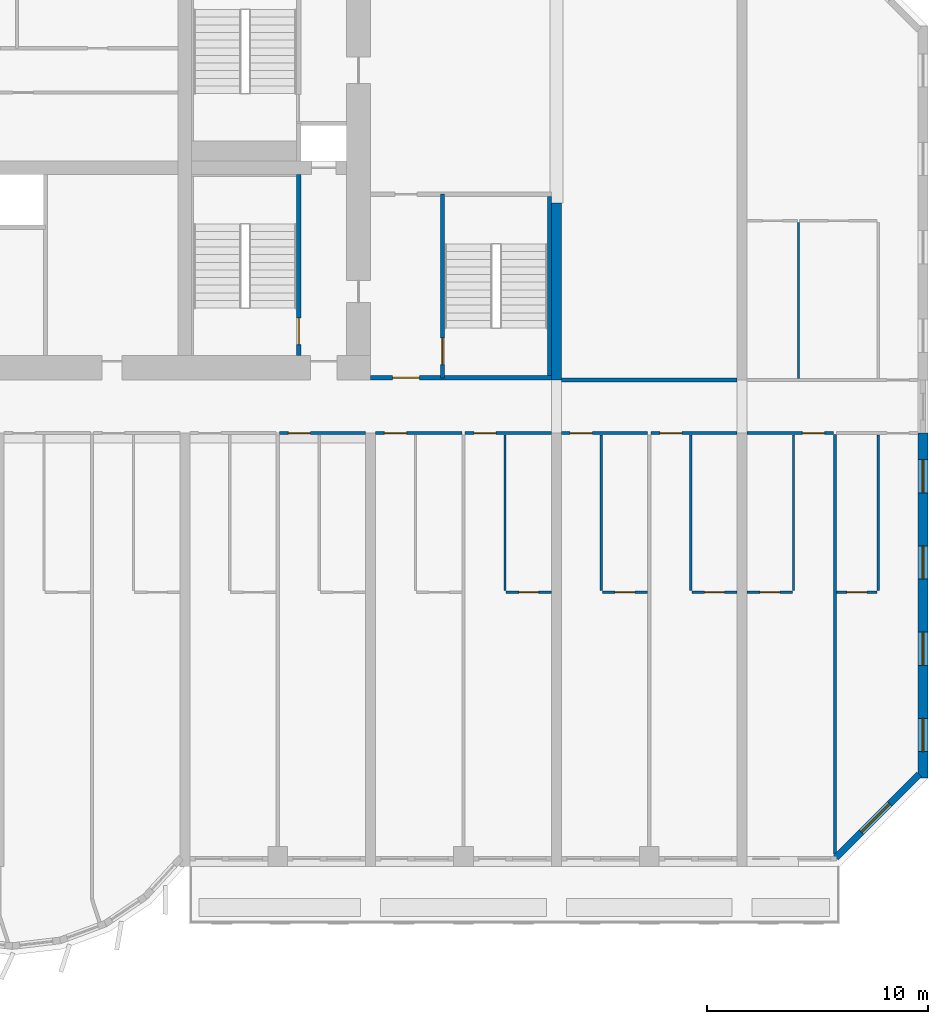
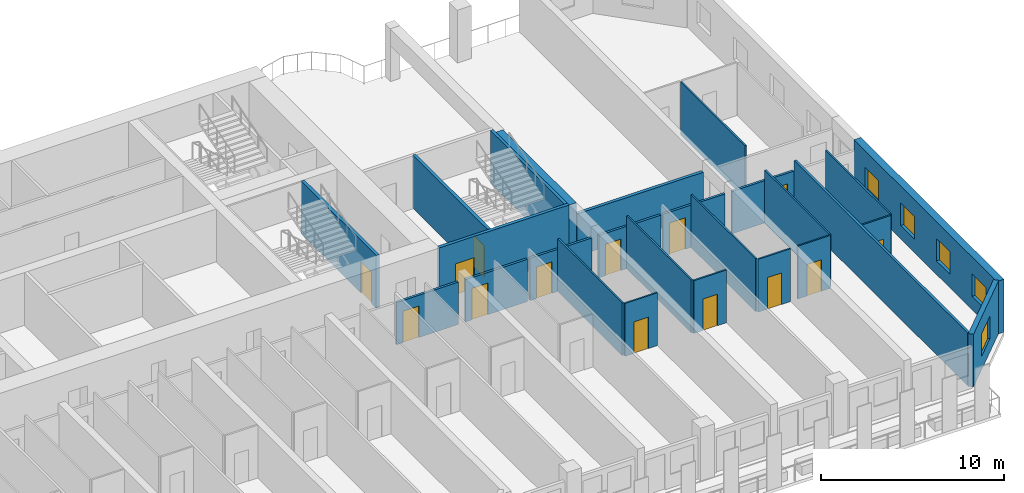
# One storey, part 9 of 14: 26 walls, 14 doors, 5 windows, 19 openings.
"""IFC4 building model written with IfcOpenShell, lengths in metres."""

from ifc_helpers import new_model, si_unit, direction, frame, frame_2d, origin, place, context, subcontext, project, spatial, rectangle, extrude, source, transform, mapped, material, layer, layer_set, type_object, element, fill, save


model = new_model("IFC4")

# Units and contexts
model_context = context("Model", 3, precision=1e-05, world=origin(), true_north=direction((0.0, 1.0)))
body_context = subcontext(model_context, "Body", "Model", "MODEL_VIEW")
ifc_project = project(units=[si_unit("LENGTHUNIT", "METRE"), si_unit("AREAUNIT", "SQUARE_METRE"), si_unit("VOLUMEUNIT", "CUBIC_METRE"), si_unit("PLANEANGLEUNIT", "RADIAN"), si_unit("MASSUNIT", "GRAM", prefix="KILO")], contexts=[model_context])

# Site, building, storey
site_placement = place(None, origin())
site = spatial("IfcSite", under=ifc_project, at=site_placement, CompositionType="ELEMENT")
building_placement = place(site_placement, origin())
building = spatial("IfcBuilding", under=site, at=building_placement, Name="Vanashikhar Sky Hotel", CompositionType="ELEMENT")
storey_placement = place(building_placement, frame((0.0, 0.0, 27.800048828125)))
storey = spatial("IfcBuildingStorey", under=building, at=storey_placement, Name="L05", CompositionType="ELEMENT", Elevation=27.800048828125)

# Wall, openings, windows
ifc_material_1 = material(Name="Concrete M80", Category="concrete")
ifc_layer_1 = layer(ifc_material_1, 0.449951171875)
ifc_layer_set_1 = layer_set([ifc_layer_1], Name="RC shear wall 450 Concrete M80")
wall_type_1 = type_object("IfcWallType", Name="RC shear wall 450 Concrete M80", PredefinedType="SHEAR", material=ifc_layer_set_1)
shared_shape_1 = source(origin(), body_context, "Body", "SweptSolid", [
    extrude(rectangle(XDim=15.60009765625, YDim=0.449951171875, at=frame_2d((7.800048828125, 0.0))), origin(), (0.0, 0.0, 1.0), 3.52001953125),
])
wall_1_placement = place(storey_placement, frame((100.574951171875, 4.0, 0.0), z_axis=(0.0, 0.0, 1.0), x_axis=(0.0, 1.0, 0.0)))
wall_1 = element("IfcWall", 1, at=wall_1_placement, inside=storey, type_object=wall_type_1, Name="CW-L05-XW13-1", PredefinedType="SHEAR", context=body_context, shape_type="MappedRepresentation", body=[
    mapped(shared_shape_1, transform((0.0, 0.0, 0.0), scale=1.0)),
])
shared_shape_2 = source(origin(), body_context, "Body", "SweptSolid", [
    extrude(rectangle(XDim=1.5, YDim=1.5, at=frame_2d((0.75, 0.75))), frame((0.0, 0.23486328125, 0.0), z_axis=(0.0, -1.0, 0.0), x_axis=(1.0, 0.0, 0.0)), (0.0, 0.0, 1.0), 0.469970703125),
])
opening_1_placement = place(wall_1_placement, frame((1.199951171875, 0.0, 0.89990234375)))
opening_1 = element("IfcOpeningElement", 2, at=opening_1_placement, cuts=wall_1, Name="Opening WN-1", PredefinedType="OPENING", context=body_context, shape_type="MappedRepresentation", body=[
    mapped(shared_shape_2, transform((0.0, 0.0, 0.0), scale=1.0)),
])
opening_2_placement = place(wall_1_placement, frame((5.10009765625, 0.0, 0.89990234375)))
opening_2 = element("IfcOpeningElement", 3, at=opening_2_placement, cuts=wall_1, Name="Opening WN-1", PredefinedType="OPENING", context=body_context, shape_type="MappedRepresentation", body=[
    mapped(shared_shape_2, transform((0.0, 0.0, 0.0), scale=1.0)),
])
opening_3_placement = place(wall_1_placement, frame((9.0, 0.0, 0.89990234375)))
opening_3 = element("IfcOpeningElement", 4, at=opening_3_placement, cuts=wall_1, Name="Opening WN-1", PredefinedType="OPENING", context=body_context, shape_type="MappedRepresentation", body=[
    mapped(shared_shape_2, transform((0.0, 0.0, 0.0), scale=1.0)),
])
opening_4_placement = place(wall_1_placement, frame((12.89990234375, 0.0, 0.89990234375)))
opening_4 = element("IfcOpeningElement", 5, at=opening_4_placement, cuts=wall_1, Name="Opening WN-1", PredefinedType="OPENING", context=body_context, shape_type="MappedRepresentation", body=[
    mapped(shared_shape_2, transform((0.0, 0.0, 0.0), scale=1.0)),
])
ifc_material_2 = material(Name="Glass", Category="glass")
window_type_1 = type_object("IfcWindowType", Name="Window 1500 x 1500", PartitioningType="SINGLE_PANEL", PredefinedType="WINDOW", material=ifc_material_2)
shared_shape_3 = source(origin(), body_context, "Body", "SweptSolid", [
    extrude(rectangle(XDim=1.5, YDim=1.5, at=frame_2d((0.75, 0.75))), frame((0.0, 0.030029296875, 0.0), z_axis=(0.0, -1.0, 0.0), x_axis=(1.0, 0.0, 0.0)), (0.0, 0.0, 1.0), 0.06005859375),
])
window_1_placement = place(opening_1_placement, origin())
window_1 = element("IfcWindow", 6, at=window_1_placement, inside=storey, type_object=window_type_1, Name="Window WN-1", OverallHeight=1.5, OverallWidth=1.5, PartitioningType="SINGLE_PANEL", PredefinedType="WINDOW", context=body_context, shape_type="MappedRepresentation", body=[
    mapped(shared_shape_3, transform((0.0, 0.0, 0.0), scale=1.0)),
])
fill(opening_1, window_1)
window_2_placement = place(opening_2_placement, origin())
window_2 = element("IfcWindow", 7, at=window_2_placement, inside=storey, type_object=window_type_1, Name="Window WN-1", OverallHeight=1.5, OverallWidth=1.5, PartitioningType="SINGLE_PANEL", PredefinedType="WINDOW", context=body_context, shape_type="MappedRepresentation", body=[
    mapped(shared_shape_3, transform((0.0, 0.0, 0.0), scale=1.0)),
])
fill(opening_2, window_2)
window_3_placement = place(opening_3_placement, origin())
window_3 = element("IfcWindow", 8, at=window_3_placement, inside=storey, type_object=window_type_1, Name="Window WN-1", OverallHeight=1.5, OverallWidth=1.5, PartitioningType="SINGLE_PANEL", PredefinedType="WINDOW", context=body_context, shape_type="MappedRepresentation", body=[
    mapped(shared_shape_3, transform((0.0, 0.0, 0.0), scale=1.0)),
])
fill(opening_3, window_3)
window_4_placement = place(opening_4_placement, origin())
window_4 = element("IfcWindow", 9, at=window_4_placement, inside=storey, type_object=window_type_1, Name="Window WN-1", OverallHeight=1.5, OverallWidth=1.5, PartitioningType="SINGLE_PANEL", PredefinedType="WINDOW", context=body_context, shape_type="MappedRepresentation", body=[
    mapped(shared_shape_3, transform((0.0, 0.0, 0.0), scale=1.0)),
])
fill(opening_4, window_4)

# Wall
shared_shape_4 = source(origin(), body_context, "Body", "SweptSolid", [
    extrude(rectangle(XDim=8.0, YDim=0.449951171875, at=frame_2d((4.0, 0.0))), origin(), (0.0, 0.0, 1.0), 3.52001953125),
])
wall_2_placement = place(storey_placement, frame((84.0, 22.0, 0.0), z_axis=(0.0, 0.0, 1.0), x_axis=(0.0, 1.0, 0.0)))
element("IfcWall", 10, at=wall_2_placement, inside=storey, type_object=wall_type_1, Name="CW-L05-XW11-2", PredefinedType="SHEAR", context=body_context, shape_type="MappedRepresentation", body=[
    mapped(shared_shape_4, transform((0.0, 0.0, 0.0), scale=1.0)),
])

# Wall, opening, window
ifc_material_3 = material(Name="Concrete M50", Category="concrete")
ifc_layer_2 = layer(ifc_material_3, 0.300048828125)
ifc_layer_set_2 = layer_set([ifc_layer_2], Name="Lobe wall 300")
wall_type_2 = type_object("IfcWallType", Name="Lobe wall 300", PredefinedType="SOLIDWALL", material=ifc_layer_set_2)
shared_shape_5 = source(origin(), body_context, "Body", "SweptSolid", [
    extrude(rectangle(XDim=5.32568359375, YDim=0.300048828125, at=frame_2d((2.662841796875, 0.0))), origin(), (0.0, 0.0, 1.0), 3.52001953125),
])
wall_3_placement = place(storey_placement, frame((96.63427734375, 0.39990234375, 0.0), z_axis=(0.0, 0.0, 1.0), x_axis=(0.707083859269, 0.707129702361, 0.0)))
wall_3 = element("IfcWall", 11, at=wall_3_placement, inside=storey, type_object=wall_type_2, Name="Corner wall", PredefinedType="SOLIDWALL", context=body_context, shape_type="MappedRepresentation", body=[
    mapped(shared_shape_5, transform((0.0, 0.0, 0.0), scale=1.0)),
])
shared_shape_6 = source(origin(), body_context, "Body", "SweptSolid", [
    extrude(rectangle(XDim=1.800048828125, YDim=1.5, at=frame_2d((0.89990234375, 0.75))), frame((0.0, 0.16015625, 0.0), z_axis=(0.0, -1.0, 0.0), x_axis=(1.0, 0.0, 0.0)), (0.0, 0.0, 1.0), 0.320068359375),
])
opening_5_placement = place(wall_3_placement, frame((1.636474609375, 0.0, 0.89990234375)))
opening_5 = element("IfcOpeningElement", 12, at=opening_5_placement, cuts=wall_3, Name="Opening WN-4", PredefinedType="OPENING", context=body_context, shape_type="MappedRepresentation", body=[
    mapped(shared_shape_6, transform((0.0, 0.0, 0.0), scale=1.0)),
])
window_type_2 = type_object("IfcWindowType", Name="Corner window 1800 x 1500", PartitioningType="SINGLE_PANEL", PredefinedType="WINDOW", material=ifc_material_2)
shared_shape_7 = source(origin(), body_context, "Body", "SweptSolid", [
    extrude(rectangle(XDim=1.800048828125, YDim=1.5, at=frame_2d((0.89990234375, 0.75))), frame((0.0, 0.030029296875, 0.0), z_axis=(0.0, -1.0, 0.0), x_axis=(1.0, 0.0, 0.0)), (0.0, 0.0, 1.0), 0.06005859375),
])
window_5_placement = place(opening_5_placement, origin())
window_5 = element("IfcWindow", 13, at=window_5_placement, inside=storey, type_object=window_type_2, Name="Window WN-4", OverallHeight=1.5, OverallWidth=1.800048828125, PartitioningType="SINGLE_PANEL", PredefinedType="WINDOW", context=body_context, shape_type="MappedRepresentation", body=[
    mapped(shared_shape_7, transform((0.0, 0.0, 0.0), scale=1.0)),
])
fill(opening_5, window_5)

# Wall, opening, door
ifc_layer_3 = layer(ifc_material_3, 0.199951171875)
ifc_layer_set_3 = layer_set([ifc_layer_3], Name="Stair wall 200")
wall_type_3 = type_object("IfcWallType", Name="Stair wall 200", PredefinedType="SOLIDWALL", material=ifc_layer_set_3)
shared_shape_8 = source(origin(), body_context, "Body", "SweptSolid", [
    extrude(rectangle(XDim=8.199951171875, YDim=0.199951171875, at=frame_2d((4.10009765625, 0.0))), origin(), (0.0, 0.0, 1.0), 3.52001953125),
])
wall_4_placement = place(storey_placement, frame((72.35009765625, 23.10009765625, 0.0), z_axis=(0.0, 0.0, 1.0), x_axis=(0.0, 1.0, 0.0)))
wall_4 = element("IfcWall", 14, at=wall_4_placement, inside=storey, type_object=wall_type_3, Name="Stair wall 200", PredefinedType="SOLIDWALL", context=body_context, shape_type="MappedRepresentation", body=[
    mapped(shared_shape_8, transform((0.0, 0.0, 0.0), scale=1.0)),
])
shared_shape_9 = source(origin(), body_context, "Body", "SweptSolid", [
    extrude(rectangle(XDim=1.199951171875, YDim=2.10009765625, at=frame_2d((0.60009765625, 1.050048828125))), frame((0.0, 0.10986328125, 0.0), z_axis=(0.0, -1.0, 0.0), x_axis=(1.0, 0.0, 0.0)), (0.0, 0.0, 1.0), 0.219970703125),
])
opening_6_placement = place(wall_4_placement, frame((0.5, 0.0, 0.0)))
opening_6 = element("IfcOpeningElement", 15, at=opening_6_placement, cuts=wall_4, Name="Opening DC-1", PredefinedType="OPENING", context=body_context, shape_type="MappedRepresentation", body=[
    mapped(shared_shape_9, transform((0.0, 0.0, 0.0), scale=1.0)),
])
ifc_material_4 = material(Name="Steel", Category="steel")
door_type_1 = type_object("IfcDoorType", Name="Stair door 1200 FD120", OperationType="NOTDEFINED", PredefinedType="DOOR", material=ifc_material_4)
shared_shape_10 = source(origin(), body_context, "Body", "SweptSolid", [
    extrude(rectangle(XDim=1.199951171875, YDim=2.10009765625, at=frame_2d((0.60009765625, 1.050048828125))), frame((0.0, 0.02490234375, 0.0), z_axis=(0.0, -1.0, 0.0), x_axis=(1.0, 0.0, 0.0)), (0.0, 0.0, 1.0), 0.050048828125),
])
door_1_placement = place(opening_6_placement, origin())
door_1 = element("IfcDoor", 16, at=door_1_placement, inside=storey, type_object=door_type_1, Name="Stair door 1200 FD120", OperationType="SINGLE_SWING_RIGHT", OverallHeight=2.10009765625, OverallWidth=1.199951171875, PredefinedType="DOOR", context=body_context, shape_type="MappedRepresentation", body=[
    mapped(shared_shape_10, transform((0.0, 0.0, 0.0), scale=1.0)),
])
fill(opening_6, door_1)

shared_shape_11 = source(origin(), body_context, "Body", "SweptSolid", [
    extrude(rectangle(XDim=8.2998046875, YDim=0.199951171875, at=frame_2d((4.14990234375, 0.0))), origin(), (0.0, 0.0, 1.0), 3.52001953125),
])
wall_5_placement = place(storey_placement, frame((78.85009765625, 22.10009765625, 0.0), z_axis=(0.0, 0.0, 1.0), x_axis=(0.0, 1.0, 0.0)))
wall_5 = element("IfcWall", 17, at=wall_5_placement, inside=storey, type_object=wall_type_3, Name="Stair wall 200", PredefinedType="SOLIDWALL", context=body_context, shape_type="MappedRepresentation", body=[
    mapped(shared_shape_11, transform((0.0, 0.0, 0.0), scale=1.0)),
])
opening_7_placement = place(wall_5_placement, frame((0.60009765625, 0.0, 0.0)))
opening_7 = element("IfcOpeningElement", 18, at=opening_7_placement, cuts=wall_5, Name="Opening DC-1", PredefinedType="OPENING", context=body_context, shape_type="MappedRepresentation", body=[
    mapped(shared_shape_9, transform((0.0, 0.0, 0.0), scale=1.0)),
])
door_2_placement = place(opening_7_placement, origin())
door_2 = element("IfcDoor", 19, at=door_2_placement, inside=storey, type_object=door_type_1, Name="Stair door 1200 FD120", OperationType="SINGLE_SWING_RIGHT", OverallHeight=2.10009765625, OverallWidth=1.199951171875, PredefinedType="DOOR", context=body_context, shape_type="MappedRepresentation", body=[
    mapped(shared_shape_10, transform((0.0, 0.0, 0.0), scale=1.0)),
])
fill(opening_7, door_2)

shared_shape_12 = source(origin(), body_context, "Body", "SweptSolid", [
    extrude(rectangle(XDim=8.1748046875, YDim=0.199951171875, at=frame_2d((4.08740234375, 0.0))), origin(), (0.0, 0.0, 1.0), 3.52001953125),
])
wall_6_placement = place(storey_placement, frame((83.77490234375, 22.10009765625, 0.0), z_axis=(0.0, 0.0, 1.0), x_axis=(-1.0, 0.0, 0.0)))
wall_6 = element("IfcWall", 20, at=wall_6_placement, inside=storey, type_object=wall_type_3, Name="Stair wall 200", PredefinedType="SOLIDWALL", context=body_context, shape_type="MappedRepresentation", body=[
    mapped(shared_shape_12, transform((0.0, 0.0, 0.0), scale=1.0)),
])
opening_8_placement = place(wall_6_placement, frame((5.97509765625, 0.0, 0.0)))
opening_8 = element("IfcOpeningElement", 21, at=opening_8_placement, cuts=wall_6, Name="Opening DC-2", PredefinedType="OPENING", context=body_context, shape_type="MappedRepresentation", body=[
    mapped(shared_shape_9, transform((0.0, 0.0, 0.0), scale=1.0)),
])
door_type_2 = type_object("IfcDoorType", Name="Firefighting lobby door 1200 FD120", OperationType="NOTDEFINED", PredefinedType="DOOR", material=ifc_material_4)
door_3_placement = place(opening_8_placement, origin())
door_3 = element("IfcDoor", 22, at=door_3_placement, inside=storey, type_object=door_type_2, Name="Firefighting lobby door 1200 FD120", OperationType="SINGLE_SWING_LEFT", OverallHeight=2.10009765625, OverallWidth=1.199951171875, PredefinedType="DOOR", context=body_context, shape_type="MappedRepresentation", body=[
    mapped(shared_shape_10, transform((0.0, 0.0, 0.0), scale=1.0)),
])
fill(opening_8, door_3)

# Walls
ifc_layer_4 = layer(ifc_material_3, 0.175048828125)
ifc_layer_set_4 = layer_set([ifc_layer_4], Name="Stair infill wall 175")
wall_type_4 = type_object("IfcWallType", Name="Stair infill wall 175", PredefinedType="SOLIDWALL", material=ifc_layer_set_4)
shared_shape_13 = source(origin(), body_context, "Body", "SweptSolid", [
    extrude(rectangle(XDim=8.10009765625, YDim=0.175048828125, at=frame_2d((4.050048828125, 0.0))), origin(), (0.0, 0.0, 1.0), 3.52001953125),
])
wall_7_placement = place(storey_placement, frame((83.68798828125, 22.199951171875, 0.0), z_axis=(0.0, 0.0, 1.0), x_axis=(0.0, 1.0, 0.0)))
element("IfcWall", 23, at=wall_7_placement, inside=storey, type_object=wall_type_4, Name="Stair infill wall 175", PredefinedType="SOLIDWALL", context=body_context, shape_type="MappedRepresentation", body=[
    mapped(shared_shape_13, transform((0.0, 0.0, 0.0), scale=1.0)),
])
ifc_material_5 = material(Name="Gypsum plasterboard partition")
ifc_layer_5 = layer(ifc_material_5, 0.10009765625)
ifc_layer_set_5 = layer_set([ifc_layer_5], Name="Wet room partition 100")
wall_type_5 = type_object("IfcWallType", Name="Wet room partition 100", PredefinedType="PARTITIONING", material=ifc_layer_set_5)
shared_shape_14 = source(origin(), body_context, "Body", "SweptSolid", [
    extrude(rectangle(XDim=7.0498046875, YDim=0.10009765625, at=frame_2d((3.52490234375, 0.0))), origin(), (0.0, 0.0, 1.0), 3.52001953125),
])
for number, where, z_axis, x_axis, name in (
    (24, (81.675048828125, 12.47509765625, 0.0), (0.0, 0.0, 1.0), (0.0, 1.0, 0.0), "W-L05-PW067"),
    (25, (86.02490234375, 12.47509765625, 0.0), (0.0, 0.0, 1.0), (0.0, 1.0, 0.0), "W-L05-PW071"),
    (26, (90.074951171875, 12.47509765625, 0.0), (0.0, 0.0, 1.0), (0.0, 1.0, 0.0), "W-L05-PW074"),
    (27, (94.72509765625, 12.47509765625, 0.0), (0.0, 0.0, 1.0), (0.0, 1.0, 0.0), "W-L05-PW078"),
    (28, (98.550048828125, 12.47509765625, 0.0), (0.0, 0.0, 1.0), (0.0, 1.0, 0.0), "W-L05-PW081"),
):
    element("IfcWall", number, at=place(storey_placement, frame(where, z_axis=z_axis, x_axis=x_axis)), inside=storey, type_object=wall_type_5, Name=name, PredefinedType="PARTITIONING", context=body_context, shape_type="MappedRepresentation", body=[
        mapped(shared_shape_14, transform((0.0, 0.0, 0.0), scale=1.0)),
    ])

# Wall, opening, door
shared_shape_15 = source(origin(), body_context, "Body", "SweptSolid", [
    extrude(rectangle(XDim=1.824951171875, YDim=0.10009765625, at=frame_2d((0.91259765625, 0.0))), origin(), (0.0, 0.0, 1.0), 3.52001953125),
])
wall_8_placement = place(storey_placement, frame((96.675048828125, 12.39990234375, 0.0), z_axis=(0.0, 0.0, 1.0), x_axis=(1.0, 0.0, 0.0)))
wall_8 = element("IfcWall", 29, at=wall_8_placement, inside=storey, type_object=wall_type_5, Name="W-L05-PW082", PredefinedType="PARTITIONING", context=body_context, shape_type="MappedRepresentation", body=[
    mapped(shared_shape_15, transform((0.0, 0.0, 0.0), scale=1.0)),
])
shared_shape_16 = source(origin(), body_context, "Body", "SweptSolid", [
    extrude(rectangle(XDim=0.89990234375, YDim=2.10009765625, at=frame_2d((0.449951171875, 1.050048828125))), frame((0.0, 0.06005859375, 0.0), z_axis=(0.0, -1.0, 0.0), x_axis=(1.0, 0.0, 0.0)), (0.0, 0.0, 1.0), 0.1201171875),
])
opening_9_placement = place(wall_8_placement, frame((0.462890625, 0.0, 0.0)))
opening_9 = element("IfcOpeningElement", 30, at=opening_9_placement, cuts=wall_8, Name="Opening D-02", PredefinedType="OPENING", context=body_context, shape_type="MappedRepresentation", body=[
    mapped(shared_shape_16, transform((0.0, 0.0, 0.0), scale=1.0)),
])
ifc_material_6 = material(Name="Timber door", Category="wood")
door_type_3 = type_object("IfcDoorType", Name="Internal door 900", OperationType="NOTDEFINED", PredefinedType="DOOR", material=ifc_material_6)
shared_shape_17 = source(origin(), body_context, "Body", "SweptSolid", [
    extrude(rectangle(XDim=0.89990234375, YDim=2.10009765625, at=frame_2d((0.449951171875, 1.050048828125))), frame((0.0, 0.02490234375, 0.0), z_axis=(0.0, -1.0, 0.0), x_axis=(1.0, 0.0, 0.0)), (0.0, 0.0, 1.0), 0.050048828125),
])
door_4_placement = place(opening_9_placement, origin())
door_4 = element("IfcDoor", 31, at=door_4_placement, inside=storey, type_object=door_type_3, Name="D-L05-047", OperationType="SINGLE_SWING_RIGHT", OverallHeight=2.10009765625, OverallWidth=0.89990234375, PredefinedType="DOOR", context=body_context, shape_type="MappedRepresentation", body=[
    mapped(shared_shape_17, transform((0.0, 0.0, 0.0), scale=1.0)),
])
fill(opening_9, door_4)

shared_shape_18 = source(origin(), body_context, "Body", "SweptSolid", [
    extrude(rectangle(XDim=2.050048828125, YDim=0.10009765625, at=frame_2d((1.02490234375, 0.0))), origin(), (0.0, 0.0, 1.0), 3.52001953125),
])
wall_9_placement = place(storey_placement, frame((86.074951171875, 12.39990234375, 0.0), z_axis=(0.0, 0.0, 1.0), x_axis=(1.0, 0.0, 0.0)))
wall_9 = element("IfcWall", 32, at=wall_9_placement, inside=storey, type_object=wall_type_5, Name="W-L05-PW072", PredefinedType="PARTITIONING", context=body_context, shape_type="MappedRepresentation", body=[
    mapped(shared_shape_18, transform((0.0, 0.0, 0.0), scale=1.0)),
])
opening_10_placement = place(wall_9_placement, frame((0.574951171875, 0.0, 0.0)))
opening_10 = element("IfcOpeningElement", 33, at=opening_10_placement, cuts=wall_9, Name="Opening D-02", PredefinedType="OPENING", context=body_context, shape_type="MappedRepresentation", body=[
    mapped(shared_shape_16, transform((0.0, 0.0, 0.0), scale=1.0)),
])
door_5_placement = place(opening_10_placement, origin())
door_5 = element("IfcDoor", 34, at=door_5_placement, inside=storey, type_object=door_type_3, Name="D-L05-041", OperationType="SINGLE_SWING_LEFT", OverallHeight=2.10009765625, OverallWidth=0.89990234375, PredefinedType="DOOR", context=body_context, shape_type="MappedRepresentation", body=[
    mapped(shared_shape_17, transform((0.0, 0.0, 0.0), scale=1.0)),
])
fill(opening_10, door_5)

wall_10_placement = place(storey_placement, frame((90.125, 12.39990234375, 0.0), z_axis=(0.0, 0.0, 1.0), x_axis=(1.0, 0.0, 0.0)))
wall_10 = element("IfcWall", 35, at=wall_10_placement, inside=storey, type_object=wall_type_5, Name="W-L05-PW075", PredefinedType="PARTITIONING", context=body_context, shape_type="MappedRepresentation", body=[
    mapped(shared_shape_18, transform((0.0, 0.0, 0.0), scale=1.0)),
])
opening_11_placement = place(wall_10_placement, frame((0.574951171875, 0.0, 0.0)))
opening_11 = element("IfcOpeningElement", 36, at=opening_11_placement, cuts=wall_10, Name="Opening D-02", PredefinedType="OPENING", context=body_context, shape_type="MappedRepresentation", body=[
    mapped(shared_shape_16, transform((0.0, 0.0, 0.0), scale=1.0)),
])
door_6_placement = place(opening_11_placement, origin())
door_6 = element("IfcDoor", 37, at=door_6_placement, inside=storey, type_object=door_type_3, Name="D-L05-043", OperationType="SINGLE_SWING_LEFT", OverallHeight=2.10009765625, OverallWidth=0.89990234375, PredefinedType="DOOR", context=body_context, shape_type="MappedRepresentation", body=[
    mapped(shared_shape_17, transform((0.0, 0.0, 0.0), scale=1.0)),
])
fill(opening_11, door_6)

wall_11_placement = place(storey_placement, frame((92.625, 12.39990234375, 0.0), z_axis=(0.0, 0.0, 1.0), x_axis=(1.0, 0.0, 0.0)))
wall_11 = element("IfcWall", 38, at=wall_11_placement, inside=storey, type_object=wall_type_5, Name="W-L05-PW079", PredefinedType="PARTITIONING", context=body_context, shape_type="MappedRepresentation", body=[
    mapped(shared_shape_18, transform((0.0, 0.0, 0.0), scale=1.0)),
])
opening_12_placement = place(wall_11_placement, frame((0.574951171875, 0.0, 0.0)))
opening_12 = element("IfcOpeningElement", 39, at=opening_12_placement, cuts=wall_11, Name="Opening D-02", PredefinedType="OPENING", context=body_context, shape_type="MappedRepresentation", body=[
    mapped(shared_shape_16, transform((0.0, 0.0, 0.0), scale=1.0)),
])
door_7_placement = place(opening_12_placement, origin())
door_7 = element("IfcDoor", 40, at=door_7_placement, inside=storey, type_object=door_type_3, Name="D-L05-045", OperationType="SINGLE_SWING_RIGHT", OverallHeight=2.10009765625, OverallWidth=0.89990234375, PredefinedType="DOOR", context=body_context, shape_type="MappedRepresentation", body=[
    mapped(shared_shape_17, transform((0.0, 0.0, 0.0), scale=1.0)),
])
fill(opening_12, door_7)

ifc_layer_6 = layer(ifc_material_5, 0.14990234375)
ifc_layer_set_6 = layer_set([ifc_layer_6], Name="Corridor and demising partition 150")
wall_type_6 = type_object("IfcWallType", Name="Corridor and demising partition 150", PredefinedType="PARTITIONING", material=ifc_layer_set_6)
shared_shape_19 = source(origin(), body_context, "Body", "SweptSolid", [
    extrude(rectangle(XDim=3.900146484375, YDim=0.14990234375, at=frame_2d((1.9501953125, 0.0))), origin(), (0.0, 0.0, 1.0), 2.820068359375),
])
wall_12_placement = place(storey_placement, frame((75.824951171875, 19.60009765625, 0.0), z_axis=(0.0, 0.0, 1.0), x_axis=(1.0, 0.0, 0.0)))
wall_12 = element("IfcWall", 41, at=wall_12_placement, inside=storey, type_object=wall_type_6, Name="W-L05-PW066", PredefinedType="PARTITIONING", context=body_context, shape_type="MappedRepresentation", body=[
    mapped(shared_shape_19, transform((0.0, 0.0, 0.0), scale=1.0)),
])
shared_shape_20 = source(origin(), body_context, "Body", "SweptSolid", [
    extrude(rectangle(XDim=1.0, YDim=2.10009765625, at=frame_2d((0.5, 1.050048828125))), frame((0.0, 0.0849609375, 0.0), z_axis=(0.0, -1.0, 0.0), x_axis=(1.0, 0.0, 0.0)), (0.0, 0.0, 1.0), 0.169921875),
])
opening_13_placement = place(wall_12_placement, frame((0.39990234375, 0.0, 0.0)))
opening_13 = element("IfcOpeningElement", 42, at=opening_13_placement, cuts=wall_12, Name="Opening D-01", PredefinedType="OPENING", context=body_context, shape_type="MappedRepresentation", body=[
    mapped(shared_shape_20, transform((0.0, 0.0, 0.0), scale=1.0)),
])
ifc_material_7 = material(Name="Timber fire door", Category="wood")
door_type_4 = type_object("IfcDoorType", Name="Guest entry door 1000 FD30S", OperationType="NOTDEFINED", PredefinedType="DOOR", material=ifc_material_7)
shared_shape_21 = source(origin(), body_context, "Body", "SweptSolid", [
    extrude(rectangle(XDim=1.0, YDim=2.10009765625, at=frame_2d((0.5, 1.050048828125))), frame((0.0, 0.02490234375, 0.0), z_axis=(0.0, -1.0, 0.0), x_axis=(1.0, 0.0, 0.0)), (0.0, 0.0, 1.0), 0.050048828125),
])
door_8_placement = place(opening_13_placement, origin())
door_8 = element("IfcDoor", 43, at=door_8_placement, inside=storey, type_object=door_type_4, Name="D-L05-038", OperationType="SINGLE_SWING_LEFT", OverallHeight=2.10009765625, OverallWidth=1.0, PredefinedType="DOOR", context=body_context, shape_type="MappedRepresentation", body=[
    mapped(shared_shape_21, transform((0.0, 0.0, 0.0), scale=1.0)),
])
fill(opening_13, door_8)

wall_13_placement = place(storey_placement, frame((88.27490234375, 19.60009765625, 0.0), z_axis=(0.0, 0.0, 1.0), x_axis=(1.0, 0.0, 0.0)))
wall_13 = element("IfcWall", 44, at=wall_13_placement, inside=storey, type_object=wall_type_6, Name="W-L05-PW076", PredefinedType="PARTITIONING", context=body_context, shape_type="MappedRepresentation", body=[
    mapped(shared_shape_19, transform((0.0, 0.0, 0.0), scale=1.0)),
])
opening_14_placement = place(wall_13_placement, frame((0.39990234375, 0.0, 0.0)))
opening_14 = element("IfcOpeningElement", 45, at=opening_14_placement, cuts=wall_13, Name="Opening D-01", PredefinedType="OPENING", context=body_context, shape_type="MappedRepresentation", body=[
    mapped(shared_shape_20, transform((0.0, 0.0, 0.0), scale=1.0)),
])
door_9_placement = place(opening_14_placement, origin())
door_9 = element("IfcDoor", 46, at=door_9_placement, inside=storey, type_object=door_type_4, Name="D-L05-044", OperationType="SINGLE_SWING_LEFT", OverallHeight=2.10009765625, OverallWidth=1.0, PredefinedType="DOOR", context=body_context, shape_type="MappedRepresentation", body=[
    mapped(shared_shape_21, transform((0.0, 0.0, 0.0), scale=1.0)),
])
fill(opening_14, door_9)

# Wall
shared_shape_22 = source(origin(), body_context, "Body", "SweptSolid", [
    extrude(rectangle(XDim=18.947021484375, YDim=0.14990234375, at=frame_2d((9.4736328125, 0.0))), origin(), (0.0, 0.0, 1.0), 3.52001953125),
])
wall_14_placement = place(storey_placement, frame((96.60009765625, 0.577880859375, 0.0), z_axis=(0.0, 0.0, 1.0), x_axis=(0.0, 1.0, 0.0)))
element("IfcWall", 47, at=wall_14_placement, inside=storey, type_object=wall_type_6, Name="W-L05-PW084", PredefinedType="PARTITIONING", context=body_context, shape_type="MappedRepresentation", body=[
    mapped(shared_shape_22, transform((0.0, 0.0, 0.0), scale=1.0)),
])

# Wall, opening, door
shared_shape_23 = source(origin(), body_context, "Body", "SweptSolid", [
    extrude(rectangle(XDim=2.0498046875, YDim=0.10009765625, at=frame_2d((1.02490234375, 0.0))), origin(), (0.0, 0.0, 1.0), 3.52001953125),
])
wall_15_placement = place(storey_placement, frame((81.72509765625, 12.39990234375, 0.0), z_axis=(0.0, 0.0, 1.0), x_axis=(1.0, 0.0, 0.0)))
wall_15 = element("IfcWall", 48, at=wall_15_placement, inside=storey, type_object=wall_type_5, Name="W-L05-PW068", PredefinedType="PARTITIONING", context=body_context, shape_type="MappedRepresentation", body=[
    mapped(shared_shape_23, transform((0.0, 0.0, 0.0), scale=1.0)),
])
opening_15_placement = place(wall_15_placement, frame((0.574951171875, 0.0, 0.0)))
opening_15 = element("IfcOpeningElement", 49, at=opening_15_placement, cuts=wall_15, Name="Opening D-02", PredefinedType="OPENING", context=body_context, shape_type="MappedRepresentation", body=[
    mapped(shared_shape_16, transform((0.0, 0.0, 0.0), scale=1.0)),
])
door_10_placement = place(opening_15_placement, origin())
door_10 = element("IfcDoor", 50, at=door_10_placement, inside=storey, type_object=door_type_3, Name="D-L05-039", OperationType="SINGLE_SWING_LEFT", OverallHeight=2.10009765625, OverallWidth=0.89990234375, PredefinedType="DOOR", context=body_context, shape_type="MappedRepresentation", body=[
    mapped(shared_shape_17, transform((0.0, 0.0, 0.0), scale=1.0)),
])
fill(opening_15, door_10)

shared_shape_24 = source(origin(), body_context, "Body", "SweptSolid", [
    extrude(rectangle(XDim=3.89990234375, YDim=0.14990234375, at=frame_2d((1.949951171875, 0.0))), origin(), (0.0, 0.0, 1.0), 2.820068359375),
])
wall_16_placement = place(storey_placement, frame((71.47509765625, 19.60009765625, 0.0), z_axis=(0.0, 0.0, 1.0), x_axis=(1.0, 0.0, 0.0)))
wall_16 = element("IfcWall", 51, at=wall_16_placement, inside=storey, type_object=wall_type_6, Name="W-L05-PW062", PredefinedType="PARTITIONING", context=body_context, shape_type="MappedRepresentation", body=[
    mapped(shared_shape_24, transform((0.0, 0.0, 0.0), scale=1.0)),
])
opening_16_placement = place(wall_16_placement, frame((0.39990234375, 0.0, 0.0)))
opening_16 = element("IfcOpeningElement", 52, at=opening_16_placement, cuts=wall_16, Name="Opening D-01", PredefinedType="OPENING", context=body_context, shape_type="MappedRepresentation", body=[
    mapped(shared_shape_20, transform((0.0, 0.0, 0.0), scale=1.0)),
])
door_11_placement = place(opening_16_placement, origin())
door_11 = element("IfcDoor", 53, at=door_11_placement, inside=storey, type_object=door_type_4, Name="D-L05-036", OperationType="SINGLE_SWING_LEFT", OverallHeight=2.10009765625, OverallWidth=1.0, PredefinedType="DOOR", context=body_context, shape_type="MappedRepresentation", body=[
    mapped(shared_shape_21, transform((0.0, 0.0, 0.0), scale=1.0)),
])
fill(opening_16, door_11)

wall_17_placement = place(storey_placement, frame((79.875, 19.60009765625, 0.0), z_axis=(0.0, 0.0, 1.0), x_axis=(1.0, 0.0, 0.0)))
wall_17 = element("IfcWall", 54, at=wall_17_placement, inside=storey, type_object=wall_type_6, Name="W-L05-PW069", PredefinedType="PARTITIONING", context=body_context, shape_type="MappedRepresentation", body=[
    mapped(shared_shape_24, transform((0.0, 0.0, 0.0), scale=1.0)),
])
opening_17_placement = place(wall_17_placement, frame((0.39990234375, 0.0, 0.0)))
opening_17 = element("IfcOpeningElement", 55, at=opening_17_placement, cuts=wall_17, Name="Opening D-01", PredefinedType="OPENING", context=body_context, shape_type="MappedRepresentation", body=[
    mapped(shared_shape_20, transform((0.0, 0.0, 0.0), scale=1.0)),
])
door_12_placement = place(opening_17_placement, origin())
door_12 = element("IfcDoor", 56, at=door_12_placement, inside=storey, type_object=door_type_4, Name="D-L05-040", OperationType="SINGLE_SWING_LEFT", OverallHeight=2.10009765625, OverallWidth=1.0, PredefinedType="DOOR", context=body_context, shape_type="MappedRepresentation", body=[
    mapped(shared_shape_21, transform((0.0, 0.0, 0.0), scale=1.0)),
])
fill(opening_17, door_12)

wall_18_placement = place(storey_placement, frame((84.22509765625, 19.60009765625, 0.0), z_axis=(0.0, 0.0, 1.0), x_axis=(1.0, 0.0, 0.0)))
wall_18 = element("IfcWall", 57, at=wall_18_placement, inside=storey, type_object=wall_type_6, Name="W-L05-PW073", PredefinedType="PARTITIONING", context=body_context, shape_type="MappedRepresentation", body=[
    mapped(shared_shape_24, transform((0.0, 0.0, 0.0), scale=1.0)),
])
opening_18_placement = place(wall_18_placement, frame((0.39990234375, 0.0, 0.0)))
opening_18 = element("IfcOpeningElement", 58, at=opening_18_placement, cuts=wall_18, Name="Opening D-01", PredefinedType="OPENING", context=body_context, shape_type="MappedRepresentation", body=[
    mapped(shared_shape_20, transform((0.0, 0.0, 0.0), scale=1.0)),
])
door_13_placement = place(opening_18_placement, origin())
door_13 = element("IfcDoor", 59, at=door_13_placement, inside=storey, type_object=door_type_4, Name="D-L05-042", OperationType="SINGLE_SWING_LEFT", OverallHeight=2.10009765625, OverallWidth=1.0, PredefinedType="DOOR", context=body_context, shape_type="MappedRepresentation", body=[
    mapped(shared_shape_21, transform((0.0, 0.0, 0.0), scale=1.0)),
])
fill(opening_18, door_13)

wall_19_placement = place(storey_placement, frame((92.625, 19.60009765625, 0.0), z_axis=(0.0, 0.0, 1.0), x_axis=(1.0, 0.0, 0.0)))
wall_19 = element("IfcWall", 60, at=wall_19_placement, inside=storey, type_object=wall_type_6, Name="W-L05-PW080", PredefinedType="PARTITIONING", context=body_context, shape_type="MappedRepresentation", body=[
    mapped(shared_shape_24, transform((0.0, 0.0, 0.0), scale=1.0)),
])
opening_19_placement = place(wall_19_placement, frame((2.5, 0.0, 0.0)))
opening_19 = element("IfcOpeningElement", 61, at=opening_19_placement, cuts=wall_19, Name="Opening D-01", PredefinedType="OPENING", context=body_context, shape_type="MappedRepresentation", body=[
    mapped(shared_shape_20, transform((0.0, 0.0, 0.0), scale=1.0)),
])
door_14_placement = place(opening_19_placement, origin())
door_14 = element("IfcDoor", 62, at=door_14_placement, inside=storey, type_object=door_type_4, Name="D-L05-046", OperationType="SINGLE_SWING_RIGHT", OverallHeight=2.10009765625, OverallWidth=1.0, PredefinedType="DOOR", context=body_context, shape_type="MappedRepresentation", body=[
    mapped(shared_shape_21, transform((0.0, 0.0, 0.0), scale=1.0)),
])
fill(opening_19, door_14)

# Walls
shared_shape_25 = source(origin(), body_context, "Body", "SweptSolid", [
    extrude(rectangle(XDim=7.050048828125, YDim=0.10009765625, at=frame_2d((3.52490234375, 0.0))), origin(), (0.0, 0.0, 1.0), 3.52001953125),
])
wall_20_placement = place(storey_placement, frame((94.949951171875, 22.074951171875, 0.0), z_axis=(0.0, 0.0, 1.0), x_axis=(0.0, 1.0, 0.0)))
element("IfcWall", 63, at=wall_20_placement, inside=storey, type_object=wall_type_5, Name="W-L05-PW102", PredefinedType="PARTITIONING", context=body_context, shape_type="MappedRepresentation", body=[
    mapped(shared_shape_25, transform((0.0, 0.0, 0.0), scale=1.0)),
])
ifc_material_8 = material(Name="Masonry partition", Category="masonry")
ifc_layer_7 = layer(ifc_material_8, 0.199951171875)
ifc_layer_set_7 = layer_set([ifc_layer_7], Name="Refuge enclosure wall 200")
wall_type_7 = type_object("IfcWallType", Name="Refuge enclosure wall 200", PredefinedType="PARTITIONING", material=ifc_layer_set_7)
shared_shape_26 = source(origin(), body_context, "Body", "SweptSolid", [
    extrude(rectangle(XDim=7.949951171875, YDim=0.199951171875, at=frame_2d((3.97509765625, 0.0))), origin(), (0.0, 0.0, 1.0), 2.820068359375),
])
wall_21_placement = place(storey_placement, frame((84.22509765625, 22.0, 0.0), z_axis=(0.0, 0.0, 1.0), x_axis=(1.0, 0.0, 0.0)))
element("IfcWall", 64, at=wall_21_placement, inside=storey, type_object=wall_type_7, Name="W-L05-PW106", PredefinedType="PARTITIONING", context=body_context, shape_type="MappedRepresentation", body=[
    mapped(shared_shape_26, transform((0.0, 0.0, 0.0), scale=1.0)),
])

save(model, "model.ifc")
